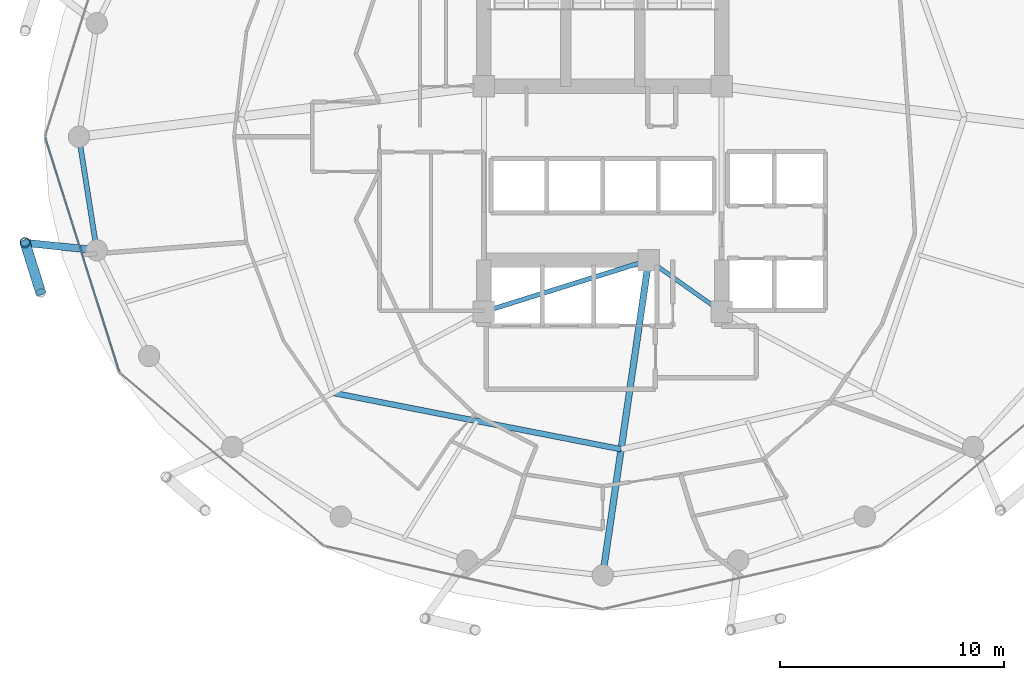
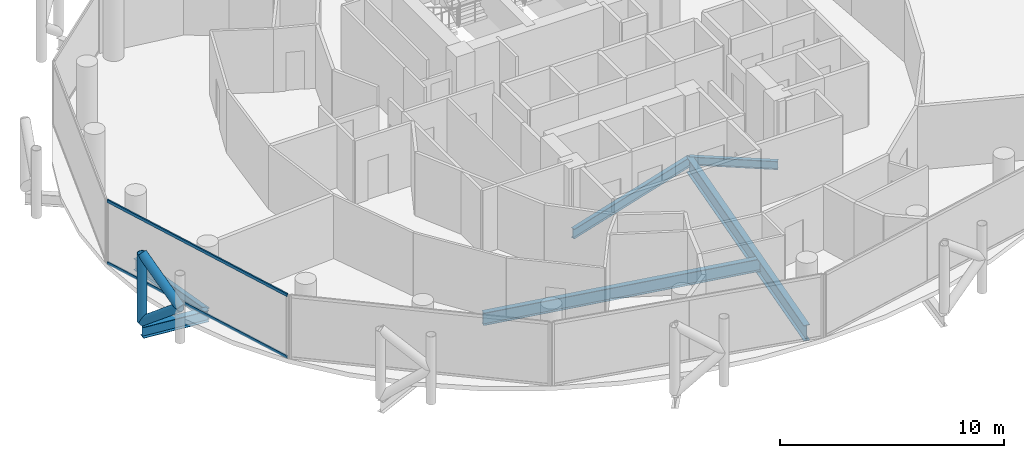
# One storey, part 5 of 26: 6 beams, 5 members, 1 element without a shape of its own.
"""IFC4 building model written with IfcOpenShell, lengths in metres."""

from ifc_helpers import new_model, si_unit, direction, frame, origin, origin_2d, place, context, subcontext, project, spatial, hollow_rectangle, hollow_circle, i_section, extrude, material, layer, layer_set, material_profile, profile_set, type_object, element, aggregate, save


model = new_model("IFC4")

# Units and contexts
model_context = context("Model", 3, precision=1e-05, world=origin(), true_north=direction((0.0, 1.0)))
body_context = subcontext(model_context, "Body", "Model", "MODEL_VIEW")
ifc_project = project(units=[si_unit("LENGTHUNIT", "METRE"), si_unit("AREAUNIT", "SQUARE_METRE"), si_unit("VOLUMEUNIT", "CUBIC_METRE"), si_unit("PLANEANGLEUNIT", "RADIAN"), si_unit("MASSUNIT", "GRAM", prefix="KILO")], contexts=[model_context])

# Site, building, storey
site_placement = place(None, origin())
site = spatial("IfcSite", under=ifc_project, at=site_placement, CompositionType="ELEMENT")
building_placement = place(site_placement, origin())
building = spatial("IfcBuilding", under=site, at=building_placement, Name="Nuhasar Tower", CompositionType="ELEMENT")
storey_placement = place(building_placement, frame((0.0, 0.0, 144.14990234375)))
storey = spatial("IfcBuildingStorey", under=building, at=storey_placement, Name="L34", CompositionType="ELEMENT", Elevation=144.14990234375)

# Beams
ifc_material_1 = material(Name="Steel S355", Category="steel")
ifc_material_profile_1 = material_profile(ifc_material_1, i_section(OverallWidth=0.25390625, OverallDepth=0.68408203125, WebThickness=0.012451171875, FlangeThickness=0.018798828125, at=origin_2d()), Name="W27X94")
ifc_profile_set_1 = profile_set([ifc_material_profile_1], Name="Steel S355")
beam_type_1 = type_object("IfcBeamType", Name="BM-INRING-W27X94", PredefinedType="BEAM", material=ifc_profile_set_1)
beam_1_placement = place(storey_placement, frame((26.972900390625, 15.385986328125, -0.591796875), z_axis=(0.981359637088, -0.192180286956, 0.0), x_axis=(0.192180286956, 0.981359637088, 0.0)))
element("IfcBeam", 1, at=beam_1_placement, inside=storey, type_object=beam_type_1, Name="L34 Inner Header Beam 01", PredefinedType="BEAM", context=body_context, shape_type="SweptSolid", body=[
    extrude(i_section(OverallWidth=0.25390625, OverallDepth=0.68408203125, WebThickness=0.012451171875, FlangeThickness=0.018798828125, at=origin_2d()), origin(), (0.0, 0.0, 1.0), 13.09130859375),
])
ifc_material_profile_2 = material_profile(ifc_material_1, i_section(OverallWidth=0.2919921875, OverallDepth=0.85888671875, WebThickness=0.01708984375, FlangeThickness=0.031005859375, at=origin_2d()), Name="W33X169")
ifc_profile_set_2 = profile_set([ifc_material_profile_2], Name="Steel S355")
beam_type_2 = type_object("IfcBeamType", Name="BM-POD-W33X169", PredefinedType="BEAM", material=ifc_profile_set_2)
beam_2_placement = place(storey_placement, frame((41.050048828125, 21.300048828125, -0.678955078125), z_axis=(-0.144381604017, -0.989522082837, 0.0), x_axis=(0.989522082837, -0.144381604017, 0.0)))
element("IfcBeam", 2, at=beam_2_placement, inside=storey, type_object=beam_type_2, Name="L34 Radial Floor Girder 02", PredefinedType="BEAM", context=body_context, shape_type="SweptSolid", body=[
    extrude(i_section(OverallWidth=0.2919921875, OverallDepth=0.85888671875, WebThickness=0.01708984375, FlangeThickness=0.031005859375, at=origin_2d()), origin(), (0.0, 0.0, 1.0), 14.19873046875),
])
ifc_material_profile_3 = material_profile(ifc_material_1, i_section(OverallWidth=0.18994140625, OverallDepth=0.45703125, WebThickness=0.009033203125, FlangeThickness=0.014404296875, at=origin_2d()), Name="W18X50")
ifc_profile_set_3 = profile_set([ifc_material_profile_3], Name="Steel S355")
beam_type_3 = type_object("IfcBeamType", Name="BM-RAD-W18X50", PredefinedType="BEAM", material=ifc_profile_set_3)
beam_3_placement = place(storey_placement, frame((41.050048828125, 21.300048828125, -0.477783203125), z_axis=(0.816265428953, -0.577677028708, 0.0), x_axis=(0.577677028708, 0.816265428953, 0.0)))
element("IfcBeam", 3, at=beam_3_placement, inside=storey, type_object=beam_type_3, Name="L34 Core Ring Girder 2", PredefinedType="BEAM", context=body_context, shape_type="SweptSolid", body=[
    extrude(i_section(OverallWidth=0.18994140625, OverallDepth=0.45703125, WebThickness=0.009033203125, FlangeThickness=0.014404296875, at=origin_2d()), origin(), (0.0, 0.0, 1.0), 3.9814453125),
])
ifc_material_profile_4 = material_profile(ifc_material_1, i_section(OverallWidth=0.208984375, OverallDepth=0.532958984375, WebThickness=0.01025390625, FlangeThickness=0.015625, at=origin_2d()), Name="W21X62")
ifc_profile_set_4 = profile_set([ifc_material_profile_4], Name="Steel S355")
beam_type_4 = type_object("IfcBeamType", Name="BM-RAD-W21X62", PredefinedType="BEAM", material=ifc_profile_set_4)
beam_4_placement = place(storey_placement, frame((33.699951171875, 19.0, -0.516845703125), z_axis=(0.954363709454, 0.298646798205, 0.0), x_axis=(-0.298646798205, 0.954363709454, 0.0)))
element("IfcBeam", 4, at=beam_4_placement, inside=storey, type_object=beam_type_4, Name="L34 Core Ring Girder 1", PredefinedType="BEAM", context=body_context, shape_type="SweptSolid", body=[
    extrude(i_section(OverallWidth=0.208984375, OverallDepth=0.532958984375, WebThickness=0.01025390625, FlangeThickness=0.015625, at=origin_2d()), origin(), (0.0, 0.0, 1.0), 7.70166015625),
])
ifc_material_profile_5 = material_profile(ifc_material_1, i_section(OverallWidth=0.22998046875, OverallDepth=0.616943359375, WebThickness=0.01318359375, FlangeThickness=0.022216796875, at=origin_2d()), Name="W24X94")
ifc_profile_set_5 = profile_set([ifc_material_profile_5], Name="Steel S355")
beam_type_5 = type_object("IfcBeamType", Name="BM-RING-W24X94", PredefinedType="SPANDREL", material=ifc_profile_set_5)
beam_5_placement = place(storey_placement, frame((15.64990234375, 26.800048828125, -0.558837890625), z_axis=(0.155426543608, -0.987847452566, 0.0), x_axis=(0.987847452566, 0.155426543608, 0.0)))
element("IfcBeam", 5, at=beam_5_placement, inside=storey, type_object=beam_type_5, Name="L34 Perimeter Ring Spandrel 13", PredefinedType="SPANDREL", context=body_context, shape_type="SweptSolid", body=[
    extrude(i_section(OverallWidth=0.22998046875, OverallDepth=0.616943359375, WebThickness=0.01318359375, FlangeThickness=0.022216796875, at=origin_2d()), origin(), (0.0, 0.0, 1.0), 5.122314453125),
])
ifc_material_profile_6 = material_profile(ifc_material_1, i_section(OverallWidth=0.323974609375, OverallDepth=0.611083984375, WebThickness=0.0126953125, FlangeThickness=0.01904296875, at=origin_2d()), Name="W24X104")
ifc_profile_set_6 = profile_set([ifc_material_profile_6], Name="Steel S355")
beam_type_6 = type_object("IfcBeamType", Name="BM-TIE-W24X104", PredefinedType="BEAM", material=ifc_profile_set_6)
beam_6_placement = place(storey_placement, frame((16.446044921875, 21.739990234375, -0.554931640625), z_axis=(-0.994577694483, 0.103996200111, 0.0), x_axis=(-0.103996200111, -0.994577694483, 0.0)))
element("IfcBeam", 6, at=beam_6_placement, inside=storey, type_object=beam_type_6, Name="L34 Exoskeleton Node Tie Beam 07", PredefinedType="BEAM", context=body_context, shape_type="SweptSolid", body=[
    extrude(i_section(OverallWidth=0.323974609375, OverallDepth=0.611083984375, WebThickness=0.0126953125, FlangeThickness=0.01904296875, at=origin_2d()), origin(), (0.0, 0.0, 1.0), 3.21142578125),
])

# Curtain wall, members
ifc_material_2 = material(Name="Aluminium 6063-T6", Category="aluminium")
ifc_layer = layer(ifc_material_2, 0.199951171875)
ifc_layer_set = layer_set([ifc_layer], Name="Aluminium 6063-T6")
curtain_wall_type = type_object("IfcCurtainWallType", Name="CW-Z2-HTL", PredefinedType="NOTDEFINED", material=ifc_layer_set)
curtain_wall_placement = place(storey_placement, origin())
curtain_wall = element("IfcCurtainWall", 7, at=curtain_wall_placement, inside=storey, type_object=curtain_wall_type, Name="L34 Unitised Curtain Wall 07", PredefinedType="NOTDEFINED")
ifc_material_profile_7 = material_profile(ifc_material_2, hollow_rectangle(XDim=0.070068359375, YDim=0.159912109375, WallThickness=0.00439453125, at=origin_2d()), Name="CWT-3")
ifc_profile_set_7 = profile_set([ifc_material_profile_7], Name="Aluminium 6063-T6")
member_type_1 = type_object("IfcMemberType", Name="CW-TRN-S3", PredefinedType="USERDEFINED", material=ifc_profile_set_7)
member_1_placement = place(storey_placement, frame((14.1611328125, 26.733154296875, 0.03515625), z_axis=(0.301608163352, -0.953431967053, 0.0), x_axis=(0.953431967053, 0.301608163352, 0.0)))
member_1 = element("IfcMember", 8, at=member_1_placement, type_object=member_type_1, Name="CW-Z2 transom 1.1", ObjectType="TRANSOM", PredefinedType="USERDEFINED", context=body_context, shape_type="SweptSolid", body=[
    extrude(hollow_rectangle(XDim=0.070068359375, YDim=0.159912109375, WallThickness=0.00439453125, at=origin_2d()), origin(), (0.0, 0.0, 1.0), 10.904296875),
])
member_2_placement = place(storey_placement, frame((14.1611328125, 26.733154296875, 3.4150390625), z_axis=(0.301608163352, -0.953431967053, 0.0), x_axis=(0.953431967053, 0.301608163352, 0.0)))
member_2 = element("IfcMember", 9, at=member_2_placement, type_object=member_type_1, Name="CW-Z2 transom 1.2", ObjectType="TRANSOM", PredefinedType="USERDEFINED", context=body_context, shape_type="SweptSolid", body=[
    extrude(hollow_rectangle(XDim=0.070068359375, YDim=0.159912109375, WallThickness=0.00439453125, at=origin_2d()), origin(), (0.0, 0.0, 1.0), 10.904296875),
])
aggregate(curtain_wall, [member_1, member_2])

# Members
ifc_material_3 = material(Name="Steel S460", Category="steel")
ifc_material_profile_8 = material_profile(ifc_material_3, hollow_circle(Radius=0.228515625, WallThickness=0.022216796875, at=origin_2d()), Name="HSS457X22.2")
ifc_profile_set_8 = profile_set([ifc_material_profile_8], Name="Steel S460")
member_type_2 = type_object("IfcMemberType", Name="EXO-BRONZE-457", PredefinedType="BRACE", material=ifc_profile_set_8)
member_3_placement = place(storey_placement, frame((13.251953125, 22.073974609375, 0.0), z_axis=(0.0, 0.0, 1.0), x_axis=(1.0, 0.0, 0.0)))
element("IfcMember", 10, at=member_3_placement, inside=storey, type_object=member_type_2, Name="L34 Exoskeleton Chord Column EC-07A", PredefinedType="BRACE", context=body_context, shape_type="SweptSolid", body=[
    extrude(hollow_circle(Radius=0.228515625, WallThickness=0.022216796875, at=origin_2d()), origin(), (0.0, 0.0, 1.0), 3.7001953125),
])
for number, where, z_axis, x_axis, name in (
    (11, (13.251953125, 22.073974609375, 0.0), (0.233055548538, -0.743577869731, 0.626719285599), (0.954228474306, 0.29907861646, 0.0), "L34 Bronze Diagrid Brace W1-07"),
    (12, (13.93994140625, 19.87890625, 1.85009765625), (-0.233055548538, 0.743577869731, 0.626719285599), (-0.954228474306, -0.29907861646, 0.0), "L34 Bronze Diagrid Brace W2-07"),
):
    element("IfcMember", number, at=place(storey_placement, frame(where, z_axis=z_axis, x_axis=x_axis)), inside=storey, type_object=member_type_2, Name=name, PredefinedType="BRACE", context=body_context, shape_type="SweptSolid", body=[
        extrude(hollow_circle(Radius=0.228515625, WallThickness=0.022216796875, at=origin_2d()), origin(), (0.0, 0.0, 1.0), 2.9521484375),
    ])

save(model, "model.ifc")
